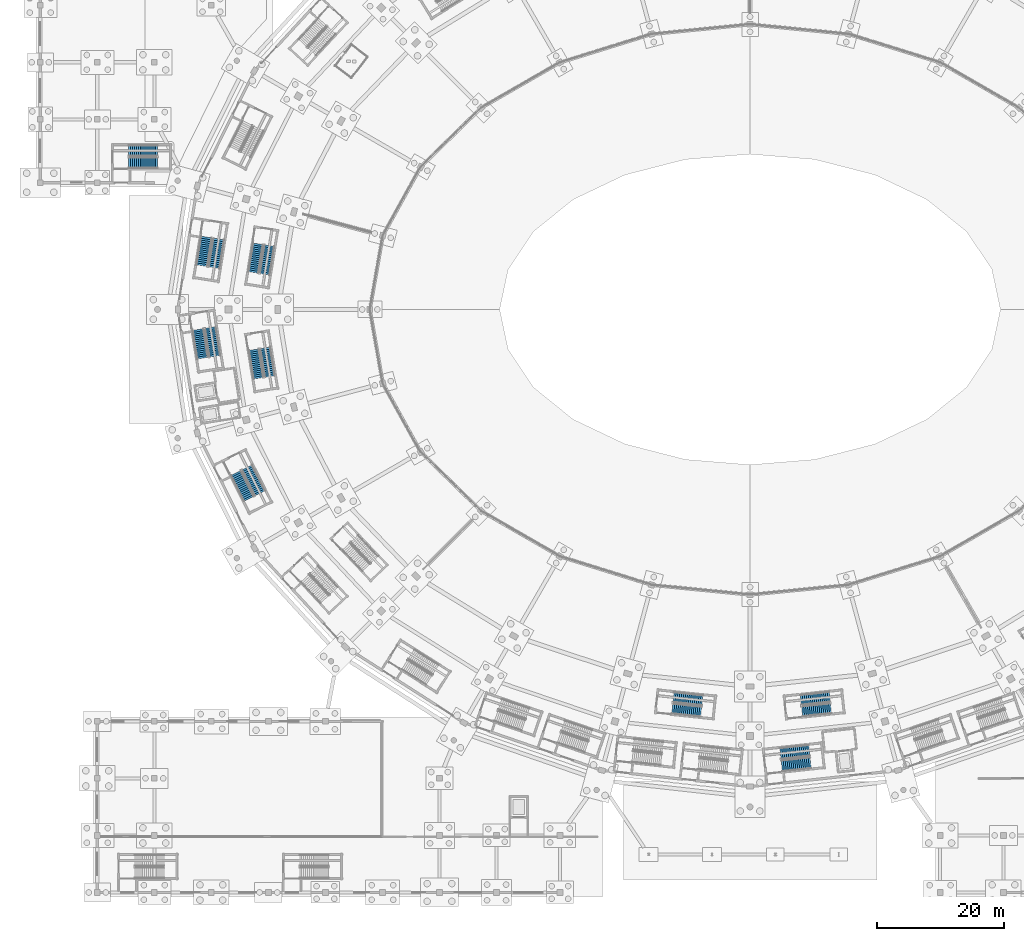
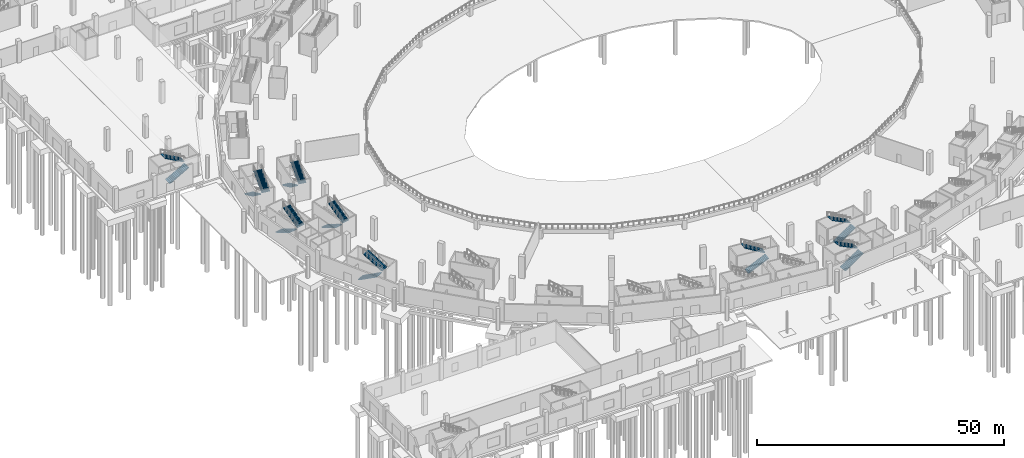
# One storey, part 51 of 103: 18 stair flights, 9 elements without a shape of their own.
"""IFC4 building model written with IfcOpenShell, lengths in metres."""

from ifc_helpers import new_model, si_unit, direction, frame, origin, place, context, subcontext, project, spatial, polyline, outline, extrude, material, type_object, element, aggregate, save


model = new_model("IFC4")

# Units and contexts
model_context = context("Model", 3, precision=1e-05, world=origin(), true_north=direction((0.0, 1.0)))
body_context = subcontext(model_context, "Body", "Model", "MODEL_VIEW")
ifc_project = project(units=[si_unit("LENGTHUNIT", "METRE"), si_unit("AREAUNIT", "SQUARE_METRE"), si_unit("VOLUMEUNIT", "CUBIC_METRE"), si_unit("PLANEANGLEUNIT", "RADIAN"), si_unit("MASSUNIT", "GRAM", prefix="KILO")], contexts=[model_context])

# Site, building, storey
site_placement = place(None, origin())
site = spatial("IfcSite", under=ifc_project, at=site_placement, CompositionType="ELEMENT")
building_placement = place(site_placement, origin())
building = spatial("IfcBuilding", under=site, at=building_placement, Name="Zevraka Park Crest Stadium", CompositionType="ELEMENT")
storey_placement = place(building_placement, origin())
storey = spatial("IfcBuildingStorey", under=building, at=storey_placement, Name="L00", CompositionType="ELEMENT", Elevation=0.0)

# Stair, stair flights
ifc_material_1 = material(Name="Concrete C35/45", Category="concrete")
stair_type_1 = type_object("IfcStairType", Name="STA1", PredefinedType="HALF_TURN_STAIR", material=ifc_material_1)
stair_1_placement = place(storey_placement, origin())
stair_1 = element("IfcStair", 1, at=stair_1_placement, inside=storey, type_object=stair_type_1, Name="L00 Protected Concourse Exit Stair ST12", PredefinedType="HALF_TURN_STAIR")
ifc_material_2 = material(Name="Concrete C35/45", Category="concrete")
stair_flight_type_1 = type_object("IfcStairFlightType", Name="FLA1", PredefinedType="STRAIGHT", material=ifc_material_2)
stair_flight_1_placement = place(storey_placement, frame((26.2265625, 103.419677734375, 0.0), z_axis=(0.0, 0.0, 1.0), x_axis=(-0.157261853897, -0.987556939781, 0.0)))
stair_flight_1 = element("IfcStairFlight", 2, at=stair_flight_1_placement, type_object=stair_flight_type_1, Name="ST12 flight 1", NumberOfRisers=16, NumberOfTreads=15, PredefinedType="STRAIGHT", RiserHeight=0.16875, TreadLength=0.305, context=body_context, shape_type="SweptSolid", body=[
    extrude(outline(polyline([(0.0, 0.0), (0.0, 0.168701171875), (0.304931640625, 0.168701171875), (0.304931640625, 0.33740234375), (0.610107421875, 0.33740234375), (0.610107421875, 0.50634765625), (0.9150390625, 0.50634765625), (0.9150390625, 0.675048828125), (1.219970703125, 0.675048828125), (1.219970703125, 0.84375), (1.52490234375, 0.84375), (1.52490234375, 1.012451171875), (1.830078125, 1.012451171875), (1.830078125, 1.18115234375), (2.135009765625, 1.18115234375), (2.135009765625, 1.35009765625), (2.43994140625, 1.35009765625), (2.43994140625, 1.518798828125), (2.7451171875, 1.518798828125), (2.7451171875, 1.6875), (3.050048828125, 1.6875), (3.050048828125, 1.856201171875), (3.35498046875, 1.856201171875), (3.35498046875, 2.02490234375), (3.659912109375, 2.02490234375), (3.659912109375, 2.19384765625), (3.965087890625, 2.19384765625), (3.965087890625, 2.362548828125), (4.27001953125, 2.362548828125), (4.27001953125, 2.53125), (4.574951171875, 2.53125), (4.574951171875, 2.699951171875), (4.574951171875, 2.348388671875), (0.330322265625, 0.0), (0.0, 0.0)])), frame((0.0, 0.89990234375, 0.0), z_axis=(0.0, -1.0, 0.0), x_axis=(1.0, 0.0, 0.0)), (0.0, 0.0, 1.0), 1.800048828125),
])
stair_flight_2_placement = place(storey_placement, frame((27.44287109375, 98.59326171875, 2.699951171875), z_axis=(0.0, 0.0, 1.0), x_axis=(0.157261853897, 0.987556939781, 0.0)))
stair_flight_2 = element("IfcStairFlight", 3, at=stair_flight_2_placement, type_object=stair_flight_type_1, Name="ST12 flight 2", NumberOfRisers=16, NumberOfTreads=15, PredefinedType="STRAIGHT", RiserHeight=0.16875, TreadLength=0.305, context=body_context, shape_type="SweptSolid", body=[
    extrude(outline(polyline([(0.0, 0.0), (0.0, 0.168701171875), (0.304931640625, 0.168701171875), (0.304931640625, 0.33740234375), (0.610107421875, 0.33740234375), (0.610107421875, 0.50634765625), (0.9150390625, 0.50634765625), (0.9150390625, 0.675048828125), (1.219970703125, 0.675048828125), (1.219970703125, 0.84375), (1.52490234375, 0.84375), (1.52490234375, 1.012451171875), (1.830078125, 1.012451171875), (1.830078125, 1.18115234375), (2.135009765625, 1.18115234375), (2.135009765625, 1.35009765625), (2.43994140625, 1.35009765625), (2.43994140625, 1.518798828125), (2.7451171875, 1.518798828125), (2.7451171875, 1.6875), (3.050048828125, 1.6875), (3.050048828125, 1.856201171875), (3.35498046875, 1.856201171875), (3.35498046875, 2.02490234375), (3.659912109375, 2.02490234375), (3.659912109375, 2.19384765625), (3.965087890625, 2.19384765625), (3.965087890625, 2.362548828125), (4.27001953125, 2.362548828125), (4.27001953125, 2.53125), (4.574951171875, 2.53125), (4.574951171875, 2.699951171875), (4.574951171875, 2.348388671875), (0.330322265625, 0.0), (0.0, 0.0)])), frame((0.0, 0.89990234375, 0.0), z_axis=(0.0, -1.0, 0.0), x_axis=(1.0, 0.0, 0.0)), (0.0, 0.0, 1.0), 1.800048828125),
])
aggregate(stair_1, [stair_flight_1, stair_flight_2])

stair_2_placement = place(storey_placement, origin())
stair_2 = element("IfcStair", 4, at=stair_2_placement, inside=storey, type_object=stair_type_1, Name="L00 Protected Concourse Exit Stair ST13", PredefinedType="HALF_TURN_STAIR")
stair_flight_3_placement = place(storey_placement, frame((24.9140625, 88.82666015625, 0.0), z_axis=(0.0, 0.0, 1.0), x_axis=(0.157261853897, -0.987556939781, 0.0)))
stair_flight_3 = element("IfcStairFlight", 5, at=stair_flight_3_placement, type_object=stair_flight_type_1, Name="ST13 flight 1", NumberOfRisers=16, NumberOfTreads=15, PredefinedType="STRAIGHT", RiserHeight=0.16875, TreadLength=0.305, context=body_context, shape_type="SweptSolid", body=[
    extrude(outline(polyline([(0.0, 0.0), (0.0, 0.168701171875), (0.304931640625, 0.168701171875), (0.304931640625, 0.33740234375), (0.610107421875, 0.33740234375), (0.610107421875, 0.50634765625), (0.9150390625, 0.50634765625), (0.9150390625, 0.675048828125), (1.219970703125, 0.675048828125), (1.219970703125, 0.84375), (1.52490234375, 0.84375), (1.52490234375, 1.012451171875), (1.830078125, 1.012451171875), (1.830078125, 1.18115234375), (2.135009765625, 1.18115234375), (2.135009765625, 1.35009765625), (2.43994140625, 1.35009765625), (2.43994140625, 1.518798828125), (2.7451171875, 1.518798828125), (2.7451171875, 1.6875), (3.050048828125, 1.6875), (3.050048828125, 1.856201171875), (3.35498046875, 1.856201171875), (3.35498046875, 2.02490234375), (3.659912109375, 2.02490234375), (3.659912109375, 2.19384765625), (3.965087890625, 2.19384765625), (3.965087890625, 2.362548828125), (4.27001953125, 2.362548828125), (4.27001953125, 2.53125), (4.574951171875, 2.53125), (4.574951171875, 2.699951171875), (4.574951171875, 2.348388671875), (0.330322265625, 0.0), (0.0, 0.0)])), frame((0.0, 0.89990234375, 0.0), z_axis=(0.0, -1.0, 0.0), x_axis=(1.0, 0.0, 0.0)), (0.0, 0.0, 1.0), 1.800048828125),
])
stair_flight_4_placement = place(storey_placement, frame((27.569091796875, 84.61669921875, 2.699951171875), z_axis=(0.0, 0.0, 1.0), x_axis=(-0.157261853897, 0.987556939781, 0.0)))
stair_flight_4 = element("IfcStairFlight", 6, at=stair_flight_4_placement, type_object=stair_flight_type_1, Name="ST13 flight 2", NumberOfRisers=16, NumberOfTreads=15, PredefinedType="STRAIGHT", RiserHeight=0.16875, TreadLength=0.305, context=body_context, shape_type="SweptSolid", body=[
    extrude(outline(polyline([(0.0, 0.0), (0.0, 0.168701171875), (0.304931640625, 0.168701171875), (0.304931640625, 0.33740234375), (0.610107421875, 0.33740234375), (0.610107421875, 0.50634765625), (0.9150390625, 0.50634765625), (0.9150390625, 0.675048828125), (1.219970703125, 0.675048828125), (1.219970703125, 0.84375), (1.52490234375, 0.84375), (1.52490234375, 1.012451171875), (1.830078125, 1.012451171875), (1.830078125, 1.18115234375), (2.135009765625, 1.18115234375), (2.135009765625, 1.35009765625), (2.43994140625, 1.35009765625), (2.43994140625, 1.518798828125), (2.7451171875, 1.518798828125), (2.7451171875, 1.6875), (3.050048828125, 1.6875), (3.050048828125, 1.856201171875), (3.35498046875, 1.856201171875), (3.35498046875, 2.02490234375), (3.659912109375, 2.02490234375), (3.659912109375, 2.19384765625), (3.965087890625, 2.19384765625), (3.965087890625, 2.362548828125), (4.27001953125, 2.362548828125), (4.27001953125, 2.53125), (4.574951171875, 2.53125), (4.574951171875, 2.699951171875), (4.574951171875, 2.348388671875), (0.330322265625, 0.0), (0.0, 0.0)])), frame((0.0, 0.89990234375, 0.0), z_axis=(0.0, -1.0, 0.0), x_axis=(1.0, 0.0, 0.0)), (0.0, 0.0, 1.0), 1.800048828125),
])
aggregate(stair_2, [stair_flight_3, stair_flight_4])

stair_3_placement = place(storey_placement, origin())
stair_3 = element("IfcStair", 7, at=stair_3_placement, inside=storey, type_object=stair_type_1, Name="L00 Protected Concourse Exit Stair ST14", PredefinedType="HALF_TURN_STAIR")
stair_flight_5_placement = place(storey_placement, frame((30.8935546875, 66.2060546875, 0.0), z_axis=(0.0, 0.0, 1.0), x_axis=(0.447915140373, -0.894076074518, 0.0)))
stair_flight_5 = element("IfcStairFlight", 8, at=stair_flight_5_placement, type_object=stair_flight_type_1, Name="ST14 flight 1", NumberOfRisers=16, NumberOfTreads=15, PredefinedType="STRAIGHT", RiserHeight=0.16875, TreadLength=0.305, context=body_context, shape_type="SweptSolid", body=[
    extrude(outline(polyline([(0.0, 0.0), (0.0, 0.168701171875), (0.304931640625, 0.168701171875), (0.304931640625, 0.33740234375), (0.610107421875, 0.33740234375), (0.610107421875, 0.50634765625), (0.9150390625, 0.50634765625), (0.9150390625, 0.675048828125), (1.219970703125, 0.675048828125), (1.219970703125, 0.84375), (1.52490234375, 0.84375), (1.52490234375, 1.012451171875), (1.830078125, 1.012451171875), (1.830078125, 1.18115234375), (2.135009765625, 1.18115234375), (2.135009765625, 1.35009765625), (2.43994140625, 1.35009765625), (2.43994140625, 1.518798828125), (2.7451171875, 1.518798828125), (2.7451171875, 1.6875), (3.050048828125, 1.6875), (3.050048828125, 1.856201171875), (3.35498046875, 1.856201171875), (3.35498046875, 2.02490234375), (3.659912109375, 2.02490234375), (3.659912109375, 2.19384765625), (3.965087890625, 2.19384765625), (3.965087890625, 2.362548828125), (4.27001953125, 2.362548828125), (4.27001953125, 2.53125), (4.574951171875, 2.53125), (4.574951171875, 2.699951171875), (4.574951171875, 2.348388671875), (0.330322265625, 0.0), (0.0, 0.0)])), frame((0.0, 0.89990234375, 0.0), z_axis=(0.0, -1.0, 0.0), x_axis=(1.0, 0.0, 0.0)), (0.0, 0.0, 1.0), 1.800048828125),
])
stair_flight_6_placement = place(storey_placement, frame((34.695068359375, 62.993408203125, 2.699951171875), z_axis=(0.0, 0.0, 1.0), x_axis=(-0.447915140373, 0.894076074518, 0.0)))
stair_flight_6 = element("IfcStairFlight", 9, at=stair_flight_6_placement, type_object=stair_flight_type_1, Name="ST14 flight 2", NumberOfRisers=16, NumberOfTreads=15, PredefinedType="STRAIGHT", RiserHeight=0.16875, TreadLength=0.305, context=body_context, shape_type="SweptSolid", body=[
    extrude(outline(polyline([(0.0, 0.0), (0.0, 0.168701171875), (0.304931640625, 0.168701171875), (0.304931640625, 0.33740234375), (0.610107421875, 0.33740234375), (0.610107421875, 0.50634765625), (0.9150390625, 0.50634765625), (0.9150390625, 0.675048828125), (1.219970703125, 0.675048828125), (1.219970703125, 0.84375), (1.52490234375, 0.84375), (1.52490234375, 1.012451171875), (1.830078125, 1.012451171875), (1.830078125, 1.18115234375), (2.135009765625, 1.18115234375), (2.135009765625, 1.35009765625), (2.43994140625, 1.35009765625), (2.43994140625, 1.518798828125), (2.7451171875, 1.518798828125), (2.7451171875, 1.6875), (3.050048828125, 1.6875), (3.050048828125, 1.856201171875), (3.35498046875, 1.856201171875), (3.35498046875, 2.02490234375), (3.659912109375, 2.02490234375), (3.659912109375, 2.19384765625), (3.965087890625, 2.19384765625), (3.965087890625, 2.362548828125), (4.27001953125, 2.362548828125), (4.27001953125, 2.53125), (4.574951171875, 2.53125), (4.574951171875, 2.699951171875), (4.574951171875, 2.348388671875), (0.330322265625, 0.0), (0.0, 0.0)])), frame((0.0, 0.89990234375, 0.0), z_axis=(0.0, -1.0, 0.0), x_axis=(1.0, 0.0, 0.0)), (0.0, 0.0, 1.0), 1.800048828125),
])
aggregate(stair_3, [stair_flight_5, stair_flight_6])

stair_4_placement = place(storey_placement, origin())
stair_4 = element("IfcStair", 10, at=stair_4_placement, inside=storey, type_object=stair_type_1, Name="L00 Protected Concourse Exit Stair ST19", PredefinedType="HALF_TURN_STAIR")
stair_flight_7_placement = place(storey_placement, frame((117.02490234375, 19.961181640625, 0.0), z_axis=(0.0, 0.0, 1.0), x_axis=(0.994127567381, 0.108214508149, 0.0)))
stair_flight_7 = element("IfcStairFlight", 11, at=stair_flight_7_placement, type_object=stair_flight_type_1, Name="ST19 flight 1", NumberOfRisers=16, NumberOfTreads=15, PredefinedType="STRAIGHT", RiserHeight=0.16875, TreadLength=0.305, context=body_context, shape_type="SweptSolid", body=[
    extrude(outline(polyline([(0.0, 0.0), (0.0, 0.168701171875), (0.304931640625, 0.168701171875), (0.304931640625, 0.33740234375), (0.610107421875, 0.33740234375), (0.610107421875, 0.50634765625), (0.9150390625, 0.50634765625), (0.9150390625, 0.675048828125), (1.219970703125, 0.675048828125), (1.219970703125, 0.84375), (1.52490234375, 0.84375), (1.52490234375, 1.012451171875), (1.830078125, 1.012451171875), (1.830078125, 1.18115234375), (2.135009765625, 1.18115234375), (2.135009765625, 1.35009765625), (2.43994140625, 1.35009765625), (2.43994140625, 1.518798828125), (2.7451171875, 1.518798828125), (2.7451171875, 1.6875), (3.050048828125, 1.6875), (3.050048828125, 1.856201171875), (3.35498046875, 1.856201171875), (3.35498046875, 2.02490234375), (3.659912109375, 2.02490234375), (3.659912109375, 2.19384765625), (3.965087890625, 2.19384765625), (3.965087890625, 2.362548828125), (4.27001953125, 2.362548828125), (4.27001953125, 2.53125), (4.574951171875, 2.53125), (4.574951171875, 2.699951171875), (4.574951171875, 2.348388671875), (0.330322265625, 0.0), (0.0, 0.0)])), frame((0.0, 0.89990234375, 0.0), z_axis=(0.0, -1.0, 0.0), x_axis=(1.0, 0.0, 0.0)), (0.0, 0.0, 1.0), 1.800048828125),
])
stair_flight_8_placement = place(storey_placement, frame((121.36083984375, 22.40478515625, 2.699951171875), z_axis=(0.0, 0.0, 1.0), x_axis=(-0.994127567381, -0.108214508149, 0.0)))
stair_flight_8 = element("IfcStairFlight", 12, at=stair_flight_8_placement, type_object=stair_flight_type_1, Name="ST19 flight 2", NumberOfRisers=16, NumberOfTreads=15, PredefinedType="STRAIGHT", RiserHeight=0.16875, TreadLength=0.305, context=body_context, shape_type="SweptSolid", body=[
    extrude(outline(polyline([(0.0, 0.0), (0.0, 0.168701171875), (0.304931640625, 0.168701171875), (0.304931640625, 0.33740234375), (0.610107421875, 0.33740234375), (0.610107421875, 0.50634765625), (0.9150390625, 0.50634765625), (0.9150390625, 0.675048828125), (1.219970703125, 0.675048828125), (1.219970703125, 0.84375), (1.52490234375, 0.84375), (1.52490234375, 1.012451171875), (1.830078125, 1.012451171875), (1.830078125, 1.18115234375), (2.135009765625, 1.18115234375), (2.135009765625, 1.35009765625), (2.43994140625, 1.35009765625), (2.43994140625, 1.518798828125), (2.7451171875, 1.518798828125), (2.7451171875, 1.6875), (3.050048828125, 1.6875), (3.050048828125, 1.856201171875), (3.35498046875, 1.856201171875), (3.35498046875, 2.02490234375), (3.659912109375, 2.02490234375), (3.659912109375, 2.19384765625), (3.965087890625, 2.19384765625), (3.965087890625, 2.362548828125), (4.27001953125, 2.362548828125), (4.27001953125, 2.53125), (4.574951171875, 2.53125), (4.574951171875, 2.699951171875), (4.574951171875, 2.348388671875), (0.330322265625, 0.0), (0.0, 0.0)])), frame((0.0, 0.89990234375, 0.0), z_axis=(0.0, -1.0, 0.0), x_axis=(1.0, 0.0, 0.0)), (0.0, 0.0, 1.0), 1.800048828125),
])
aggregate(stair_4, [stair_flight_7, stair_flight_8])

ifc_material_3 = material(Name="Concrete C35/45", Category="concrete")
stair_type_2 = type_object("IfcStairType", Name="STB1", PredefinedType="HALF_TURN_STAIR", material=ifc_material_3)
stair_5_placement = place(storey_placement, origin())
stair_5 = element("IfcStair", 13, at=stair_5_placement, inside=storey, type_object=stair_type_2, Name="L00 Protected Concourse Relief Stair ST38", PredefinedType="HALF_TURN_STAIR")
ifc_material_4 = material(Name="Concrete C35/45", Category="concrete")
stair_flight_type_2 = type_object("IfcStairFlightType", Name="FLB1", PredefinedType="STRAIGHT", material=ifc_material_4)
stair_flight_9_placement = place(storey_placement, frame((34.36865234375, 102.349365234375, 0.0), z_axis=(0.0, 0.0, 1.0), x_axis=(-0.16070639019, -0.98700225742, 0.0)))
stair_flight_9 = element("IfcStairFlight", 14, at=stair_flight_9_placement, type_object=stair_flight_type_2, Name="ST38 flight 1", NumberOfRisers=16, NumberOfTreads=15, PredefinedType="STRAIGHT", RiserHeight=0.16875, TreadLength=0.305, context=body_context, shape_type="SweptSolid", body=[
    extrude(outline(polyline([(0.0, 0.0), (0.0, 0.168701171875), (0.304931640625, 0.168701171875), (0.304931640625, 0.33740234375), (0.610107421875, 0.33740234375), (0.610107421875, 0.50634765625), (0.9150390625, 0.50634765625), (0.9150390625, 0.675048828125), (1.219970703125, 0.675048828125), (1.219970703125, 0.84375), (1.52490234375, 0.84375), (1.52490234375, 1.012451171875), (1.830078125, 1.012451171875), (1.830078125, 1.18115234375), (2.135009765625, 1.18115234375), (2.135009765625, 1.35009765625), (2.43994140625, 1.35009765625), (2.43994140625, 1.518798828125), (2.7451171875, 1.518798828125), (2.7451171875, 1.6875), (3.050048828125, 1.6875), (3.050048828125, 1.856201171875), (3.35498046875, 1.856201171875), (3.35498046875, 2.02490234375), (3.659912109375, 2.02490234375), (3.659912109375, 2.19384765625), (3.965087890625, 2.19384765625), (3.965087890625, 2.362548828125), (4.27001953125, 2.362548828125), (4.27001953125, 2.53125), (4.574951171875, 2.53125), (4.574951171875, 2.699951171875), (4.574951171875, 2.348388671875), (0.330322265625, 0.0), (0.0, 0.0)])), frame((0.0, 0.824951171875, 0.0), z_axis=(0.0, -1.0, 0.0), x_axis=(1.0, 0.0, 0.0)), (0.0, 0.0, 1.0), 1.64990234375),
])
stair_flight_10_placement = place(storey_placement, frame((35.419677734375, 97.54296875, 2.699951171875), z_axis=(0.0, 0.0, 1.0), x_axis=(0.16070639019, 0.98700225742, 0.0)))
stair_flight_10 = element("IfcStairFlight", 15, at=stair_flight_10_placement, type_object=stair_flight_type_2, Name="ST38 flight 2", NumberOfRisers=16, NumberOfTreads=15, PredefinedType="STRAIGHT", RiserHeight=0.16875, TreadLength=0.305, context=body_context, shape_type="SweptSolid", body=[
    extrude(outline(polyline([(0.0, 0.0), (0.0, 0.168701171875), (0.304931640625, 0.168701171875), (0.304931640625, 0.33740234375), (0.610107421875, 0.33740234375), (0.610107421875, 0.50634765625), (0.9150390625, 0.50634765625), (0.9150390625, 0.675048828125), (1.219970703125, 0.675048828125), (1.219970703125, 0.84375), (1.52490234375, 0.84375), (1.52490234375, 1.012451171875), (1.830078125, 1.012451171875), (1.830078125, 1.18115234375), (2.135009765625, 1.18115234375), (2.135009765625, 1.35009765625), (2.43994140625, 1.35009765625), (2.43994140625, 1.518798828125), (2.7451171875, 1.518798828125), (2.7451171875, 1.6875), (3.050048828125, 1.6875), (3.050048828125, 1.856201171875), (3.35498046875, 1.856201171875), (3.35498046875, 2.02490234375), (3.659912109375, 2.02490234375), (3.659912109375, 2.19384765625), (3.965087890625, 2.19384765625), (3.965087890625, 2.362548828125), (4.27001953125, 2.362548828125), (4.27001953125, 2.53125), (4.574951171875, 2.53125), (4.574951171875, 2.699951171875), (4.574951171875, 2.348388671875), (0.330322265625, 0.0), (0.0, 0.0)])), frame((0.0, 0.824951171875, 0.0), z_axis=(0.0, -1.0, 0.0), x_axis=(1.0, 0.0, 0.0)), (0.0, 0.0, 1.0), 1.64990234375),
])
aggregate(stair_5, [stair_flight_9, stair_flight_10])

stair_6_placement = place(storey_placement, origin())
stair_6 = element("IfcStair", 16, at=stair_6_placement, inside=storey, type_object=stair_type_2, Name="L00 Protected Concourse Relief Stair ST39", PredefinedType="HALF_TURN_STAIR")
stair_flight_11_placement = place(storey_placement, frame((33.717041015625, 85.6484375, 0.0), z_axis=(0.0, 0.0, 1.0), x_axis=(0.16070639019, -0.98700225742, 0.0)))
stair_flight_11 = element("IfcStairFlight", 17, at=stair_flight_11_placement, type_object=stair_flight_type_2, Name="ST39 flight 1", NumberOfRisers=16, NumberOfTreads=15, PredefinedType="STRAIGHT", RiserHeight=0.16875, TreadLength=0.305, context=body_context, shape_type="SweptSolid", body=[
    extrude(outline(polyline([(0.0, 0.0), (0.0, 0.168701171875), (0.304931640625, 0.168701171875), (0.304931640625, 0.33740234375), (0.610107421875, 0.33740234375), (0.610107421875, 0.50634765625), (0.9150390625, 0.50634765625), (0.9150390625, 0.675048828125), (1.219970703125, 0.675048828125), (1.219970703125, 0.84375), (1.52490234375, 0.84375), (1.52490234375, 1.012451171875), (1.830078125, 1.012451171875), (1.830078125, 1.18115234375), (2.135009765625, 1.18115234375), (2.135009765625, 1.35009765625), (2.43994140625, 1.35009765625), (2.43994140625, 1.518798828125), (2.7451171875, 1.518798828125), (2.7451171875, 1.6875), (3.050048828125, 1.6875), (3.050048828125, 1.856201171875), (3.35498046875, 1.856201171875), (3.35498046875, 2.02490234375), (3.659912109375, 2.02490234375), (3.659912109375, 2.19384765625), (3.965087890625, 2.19384765625), (3.965087890625, 2.362548828125), (4.27001953125, 2.362548828125), (4.27001953125, 2.53125), (4.574951171875, 2.53125), (4.574951171875, 2.699951171875), (4.574951171875, 2.348388671875), (0.330322265625, 0.0), (0.0, 0.0)])), frame((0.0, 0.824951171875, 0.0), z_axis=(0.0, -1.0, 0.0), x_axis=(1.0, 0.0, 0.0)), (0.0, 0.0, 1.0), 1.64990234375),
])
stair_flight_12_placement = place(storey_placement, frame((36.23876953125, 81.423828125, 2.699951171875), z_axis=(0.0, 0.0, 1.0), x_axis=(-0.16070639019, 0.98700225742, 0.0)))
stair_flight_12 = element("IfcStairFlight", 18, at=stair_flight_12_placement, type_object=stair_flight_type_2, Name="ST39 flight 2", NumberOfRisers=16, NumberOfTreads=15, PredefinedType="STRAIGHT", RiserHeight=0.16875, TreadLength=0.305, context=body_context, shape_type="SweptSolid", body=[
    extrude(outline(polyline([(0.0, 0.0), (0.0, 0.168701171875), (0.304931640625, 0.168701171875), (0.304931640625, 0.33740234375), (0.610107421875, 0.33740234375), (0.610107421875, 0.50634765625), (0.9150390625, 0.50634765625), (0.9150390625, 0.675048828125), (1.219970703125, 0.675048828125), (1.219970703125, 0.84375), (1.52490234375, 0.84375), (1.52490234375, 1.012451171875), (1.830078125, 1.012451171875), (1.830078125, 1.18115234375), (2.135009765625, 1.18115234375), (2.135009765625, 1.35009765625), (2.43994140625, 1.35009765625), (2.43994140625, 1.518798828125), (2.7451171875, 1.518798828125), (2.7451171875, 1.6875), (3.050048828125, 1.6875), (3.050048828125, 1.856201171875), (3.35498046875, 1.856201171875), (3.35498046875, 2.02490234375), (3.659912109375, 2.02490234375), (3.659912109375, 2.19384765625), (3.965087890625, 2.19384765625), (3.965087890625, 2.362548828125), (4.27001953125, 2.362548828125), (4.27001953125, 2.53125), (4.574951171875, 2.53125), (4.574951171875, 2.699951171875), (4.574951171875, 2.348388671875), (0.330322265625, 0.0), (0.0, 0.0)])), frame((0.0, 0.824951171875, 0.0), z_axis=(0.0, -1.0, 0.0), x_axis=(1.0, 0.0, 0.0)), (0.0, 0.0, 1.0), 1.64990234375),
])
aggregate(stair_6, [stair_flight_11, stair_flight_12])

stair_7_placement = place(storey_placement, origin())
stair_7 = element("IfcStair", 19, at=stair_7_placement, inside=storey, type_object=stair_type_2, Name="L00 Protected Concourse Relief Stair ST41", PredefinedType="HALF_TURN_STAIR")
stair_flight_13_placement = place(storey_placement, frame((99.74462890625, 28.994140625, 0.0), z_axis=(0.0, 0.0, 1.0), x_axis=(0.994381814459, -0.105852761294, 0.0)))
stair_flight_13 = element("IfcStairFlight", 20, at=stair_flight_13_placement, type_object=stair_flight_type_2, Name="ST41 flight 1", NumberOfRisers=16, NumberOfTreads=15, PredefinedType="STRAIGHT", RiserHeight=0.16875, TreadLength=0.305, context=body_context, shape_type="SweptSolid", body=[
    extrude(outline(polyline([(0.0, 0.0), (0.0, 0.168701171875), (0.304931640625, 0.168701171875), (0.304931640625, 0.33740234375), (0.610107421875, 0.33740234375), (0.610107421875, 0.50634765625), (0.9150390625, 0.50634765625), (0.9150390625, 0.675048828125), (1.219970703125, 0.675048828125), (1.219970703125, 0.84375), (1.52490234375, 0.84375), (1.52490234375, 1.012451171875), (1.830078125, 1.012451171875), (1.830078125, 1.18115234375), (2.135009765625, 1.18115234375), (2.135009765625, 1.35009765625), (2.43994140625, 1.35009765625), (2.43994140625, 1.518798828125), (2.7451171875, 1.518798828125), (2.7451171875, 1.6875), (3.050048828125, 1.6875), (3.050048828125, 1.856201171875), (3.35498046875, 1.856201171875), (3.35498046875, 2.02490234375), (3.659912109375, 2.02490234375), (3.659912109375, 2.19384765625), (3.965087890625, 2.19384765625), (3.965087890625, 2.362548828125), (4.27001953125, 2.362548828125), (4.27001953125, 2.53125), (4.574951171875, 2.53125), (4.574951171875, 2.699951171875), (4.574951171875, 2.348388671875), (0.330322265625, 0.0), (0.0, 0.0)])), frame((0.0, 0.824951171875, 0.0), z_axis=(0.0, -1.0, 0.0), x_axis=(1.0, 0.0, 0.0)), (0.0, 0.0, 1.0), 1.64990234375),
])
stair_flight_14_placement = place(storey_placement, frame((104.4853515625, 30.3095703125, 2.699951171875), z_axis=(0.0, 0.0, 1.0), x_axis=(-0.994381814459, 0.105852761294, 0.0)))
stair_flight_14 = element("IfcStairFlight", 21, at=stair_flight_14_placement, type_object=stair_flight_type_2, Name="ST41 flight 2", NumberOfRisers=16, NumberOfTreads=15, PredefinedType="STRAIGHT", RiserHeight=0.16875, TreadLength=0.305, context=body_context, shape_type="SweptSolid", body=[
    extrude(outline(polyline([(0.0, 0.0), (0.0, 0.168701171875), (0.304931640625, 0.168701171875), (0.304931640625, 0.33740234375), (0.610107421875, 0.33740234375), (0.610107421875, 0.50634765625), (0.9150390625, 0.50634765625), (0.9150390625, 0.675048828125), (1.219970703125, 0.675048828125), (1.219970703125, 0.84375), (1.52490234375, 0.84375), (1.52490234375, 1.012451171875), (1.830078125, 1.012451171875), (1.830078125, 1.18115234375), (2.135009765625, 1.18115234375), (2.135009765625, 1.35009765625), (2.43994140625, 1.35009765625), (2.43994140625, 1.518798828125), (2.7451171875, 1.518798828125), (2.7451171875, 1.6875), (3.050048828125, 1.6875), (3.050048828125, 1.856201171875), (3.35498046875, 1.856201171875), (3.35498046875, 2.02490234375), (3.659912109375, 2.02490234375), (3.659912109375, 2.19384765625), (3.965087890625, 2.19384765625), (3.965087890625, 2.362548828125), (4.27001953125, 2.362548828125), (4.27001953125, 2.53125), (4.574951171875, 2.53125), (4.574951171875, 2.699951171875), (4.574951171875, 2.348388671875), (0.330322265625, 0.0), (0.0, 0.0)])), frame((0.0, 0.824951171875, 0.0), z_axis=(0.0, -1.0, 0.0), x_axis=(1.0, 0.0, 0.0)), (0.0, 0.0, 1.0), 1.64990234375),
])
aggregate(stair_7, [stair_flight_13, stair_flight_14])

stair_8_placement = place(storey_placement, origin())
stair_8 = element("IfcStair", 22, at=stair_8_placement, inside=storey, type_object=stair_type_2, Name="L00 Protected Concourse Relief Stair ST42", PredefinedType="HALF_TURN_STAIR")
stair_flight_15_placement = place(storey_placement, frame((120.22802734375, 28.565673828125, 0.0), z_axis=(0.0, 0.0, 1.0), x_axis=(0.994381814459, 0.105852761294, 0.0)))
stair_flight_15 = element("IfcStairFlight", 23, at=stair_flight_15_placement, type_object=stair_flight_type_2, Name="ST42 flight 1", NumberOfRisers=16, NumberOfTreads=15, PredefinedType="STRAIGHT", RiserHeight=0.16875, TreadLength=0.305, context=body_context, shape_type="SweptSolid", body=[
    extrude(outline(polyline([(0.0, 0.0), (0.0, 0.168701171875), (0.304931640625, 0.168701171875), (0.304931640625, 0.33740234375), (0.610107421875, 0.33740234375), (0.610107421875, 0.50634765625), (0.9150390625, 0.50634765625), (0.9150390625, 0.675048828125), (1.219970703125, 0.675048828125), (1.219970703125, 0.84375), (1.52490234375, 0.84375), (1.52490234375, 1.012451171875), (1.830078125, 1.012451171875), (1.830078125, 1.18115234375), (2.135009765625, 1.18115234375), (2.135009765625, 1.35009765625), (2.43994140625, 1.35009765625), (2.43994140625, 1.518798828125), (2.7451171875, 1.518798828125), (2.7451171875, 1.6875), (3.050048828125, 1.6875), (3.050048828125, 1.856201171875), (3.35498046875, 1.856201171875), (3.35498046875, 2.02490234375), (3.659912109375, 2.02490234375), (3.659912109375, 2.19384765625), (3.965087890625, 2.19384765625), (3.965087890625, 2.362548828125), (4.27001953125, 2.362548828125), (4.27001953125, 2.53125), (4.574951171875, 2.53125), (4.574951171875, 2.699951171875), (4.574951171875, 2.348388671875), (0.330322265625, 0.0), (0.0, 0.0)])), frame((0.0, 0.824951171875, 0.0), z_axis=(0.0, -1.0, 0.0), x_axis=(1.0, 0.0, 0.0)), (0.0, 0.0, 1.0), 1.64990234375),
])
stair_flight_16_placement = place(storey_placement, frame((124.585693359375, 30.849853515625, 2.699951171875), z_axis=(0.0, 0.0, 1.0), x_axis=(-0.994381814459, -0.105852761294, 0.0)))
stair_flight_16 = element("IfcStairFlight", 24, at=stair_flight_16_placement, type_object=stair_flight_type_2, Name="ST42 flight 2", NumberOfRisers=16, NumberOfTreads=15, PredefinedType="STRAIGHT", RiserHeight=0.16875, TreadLength=0.305, context=body_context, shape_type="SweptSolid", body=[
    extrude(outline(polyline([(0.0, 0.0), (0.0, 0.168701171875), (0.304931640625, 0.168701171875), (0.304931640625, 0.33740234375), (0.610107421875, 0.33740234375), (0.610107421875, 0.50634765625), (0.9150390625, 0.50634765625), (0.9150390625, 0.675048828125), (1.219970703125, 0.675048828125), (1.219970703125, 0.84375), (1.52490234375, 0.84375), (1.52490234375, 1.012451171875), (1.830078125, 1.012451171875), (1.830078125, 1.18115234375), (2.135009765625, 1.18115234375), (2.135009765625, 1.35009765625), (2.43994140625, 1.35009765625), (2.43994140625, 1.518798828125), (2.7451171875, 1.518798828125), (2.7451171875, 1.6875), (3.050048828125, 1.6875), (3.050048828125, 1.856201171875), (3.35498046875, 1.856201171875), (3.35498046875, 2.02490234375), (3.659912109375, 2.02490234375), (3.659912109375, 2.19384765625), (3.965087890625, 2.19384765625), (3.965087890625, 2.362548828125), (4.27001953125, 2.362548828125), (4.27001953125, 2.53125), (4.574951171875, 2.53125), (4.574951171875, 2.699951171875), (4.574951171875, 2.348388671875), (0.330322265625, 0.0), (0.0, 0.0)])), frame((0.0, 0.824951171875, 0.0), z_axis=(0.0, -1.0, 0.0), x_axis=(1.0, 0.0, 0.0)), (0.0, 0.0, 1.0), 1.64990234375),
])
aggregate(stair_8, [stair_flight_15, stair_flight_16])

ifc_material_5 = material(Name="Concrete C35/45", Category="concrete")
stair_type_3 = type_object("IfcStairType", Name="STC1", PredefinedType="HALF_TURN_STAIR", material=ifc_material_5)
stair_9_placement = place(storey_placement, origin())
stair_9 = element("IfcStair", 25, at=stair_9_placement, inside=storey, type_object=stair_type_3, Name="L00 NW Veranda Wing South-West Stair ST48", PredefinedType="HALF_TURN_STAIR")
ifc_material_6 = material(Name="Concrete C35/45", Category="concrete")
stair_flight_type_3 = type_object("IfcStairFlightType", Name="FLC1", PredefinedType="STRAIGHT", material=ifc_material_6)
stair_flight_17_placement = place(storey_placement, frame((13.949951171875, 115.125, 0.0), z_axis=(0.0, 0.0, 1.0), x_axis=(1.0, 0.0, 0.0)))
stair_flight_17 = element("IfcStairFlight", 26, at=stair_flight_17_placement, type_object=stair_flight_type_3, Name="ST48 flight 1", NumberOfRisers=16, NumberOfTreads=15, PredefinedType="STRAIGHT", RiserHeight=0.16875, TreadLength=0.305, context=body_context, shape_type="SweptSolid", body=[
    extrude(outline(polyline([(0.0, 0.0), (0.0, 0.168701171875), (0.304931640625, 0.168701171875), (0.304931640625, 0.33740234375), (0.610107421875, 0.33740234375), (0.610107421875, 0.50634765625), (0.9150390625, 0.50634765625), (0.9150390625, 0.675048828125), (1.219970703125, 0.675048828125), (1.219970703125, 0.84375), (1.52490234375, 0.84375), (1.52490234375, 1.012451171875), (1.830078125, 1.012451171875), (1.830078125, 1.18115234375), (2.135009765625, 1.18115234375), (2.135009765625, 1.35009765625), (2.43994140625, 1.35009765625), (2.43994140625, 1.518798828125), (2.7451171875, 1.518798828125), (2.7451171875, 1.6875), (3.050048828125, 1.6875), (3.050048828125, 1.856201171875), (3.35498046875, 1.856201171875), (3.35498046875, 2.02490234375), (3.659912109375, 2.02490234375), (3.659912109375, 2.19384765625), (3.965087890625, 2.19384765625), (3.965087890625, 2.362548828125), (4.27001953125, 2.362548828125), (4.27001953125, 2.53125), (4.574951171875, 2.53125), (4.574951171875, 2.699951171875), (4.574951171875, 2.348388671875), (0.330322265625, 0.0), (0.0, 0.0)])), frame((0.0, 0.875, 0.0), z_axis=(0.0, -1.0, 0.0), x_axis=(1.0, 0.0, 0.0)), (0.0, 0.0, 1.0), 1.75),
])
stair_flight_18_placement = place(storey_placement, frame((18.52490234375, 117.034912109375, 2.699951171875), z_axis=(0.0, 0.0, 1.0), x_axis=(-1.0, 0.0, 0.0)))
stair_flight_18 = element("IfcStairFlight", 27, at=stair_flight_18_placement, type_object=stair_flight_type_3, Name="ST48 flight 2", NumberOfRisers=16, NumberOfTreads=15, PredefinedType="STRAIGHT", RiserHeight=0.16875, TreadLength=0.305, context=body_context, shape_type="SweptSolid", body=[
    extrude(outline(polyline([(0.0, 0.0), (0.0, 0.168701171875), (0.304931640625, 0.168701171875), (0.304931640625, 0.33740234375), (0.610107421875, 0.33740234375), (0.610107421875, 0.50634765625), (0.9150390625, 0.50634765625), (0.9150390625, 0.675048828125), (1.219970703125, 0.675048828125), (1.219970703125, 0.84375), (1.52490234375, 0.84375), (1.52490234375, 1.012451171875), (1.830078125, 1.012451171875), (1.830078125, 1.18115234375), (2.135009765625, 1.18115234375), (2.135009765625, 1.35009765625), (2.43994140625, 1.35009765625), (2.43994140625, 1.518798828125), (2.7451171875, 1.518798828125), (2.7451171875, 1.6875), (3.050048828125, 1.6875), (3.050048828125, 1.856201171875), (3.35498046875, 1.856201171875), (3.35498046875, 2.02490234375), (3.659912109375, 2.02490234375), (3.659912109375, 2.19384765625), (3.965087890625, 2.19384765625), (3.965087890625, 2.362548828125), (4.27001953125, 2.362548828125), (4.27001953125, 2.53125), (4.574951171875, 2.53125), (4.574951171875, 2.699951171875), (4.574951171875, 2.348388671875), (0.330322265625, 0.0), (0.0, 0.0)])), frame((0.0, 0.875, 0.0), z_axis=(0.0, -1.0, 0.0), x_axis=(1.0, 0.0, 0.0)), (0.0, 0.0, 1.0), 1.75),
])
aggregate(stair_9, [stair_flight_17, stair_flight_18])

save(model, "model.ifc")
